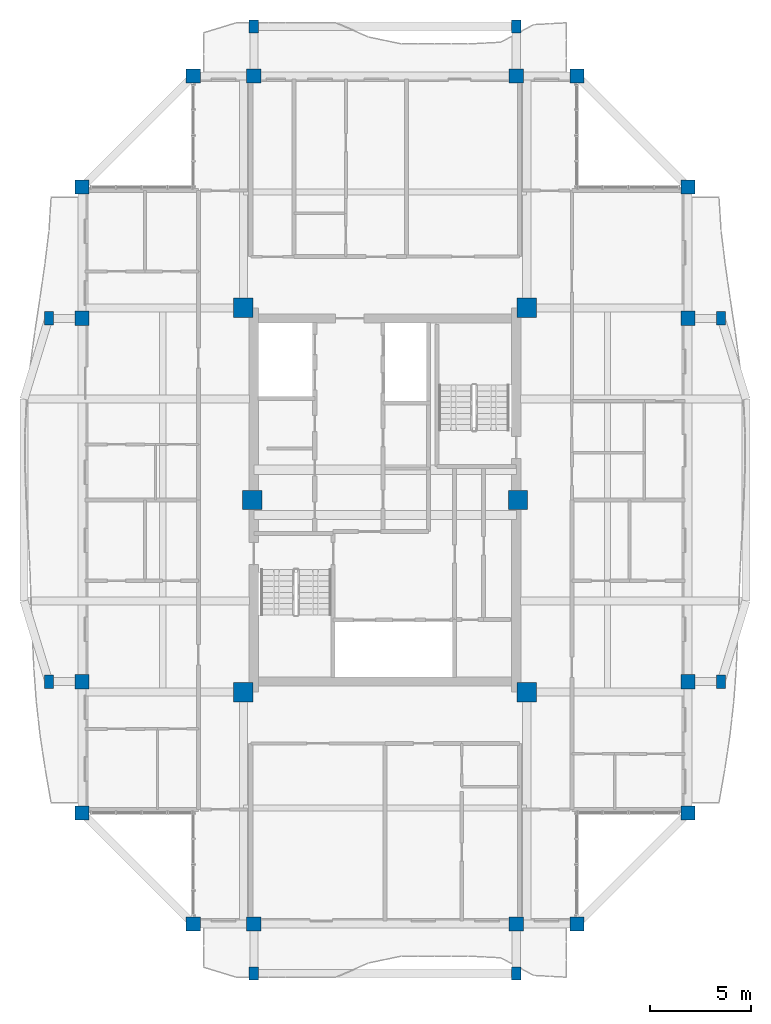
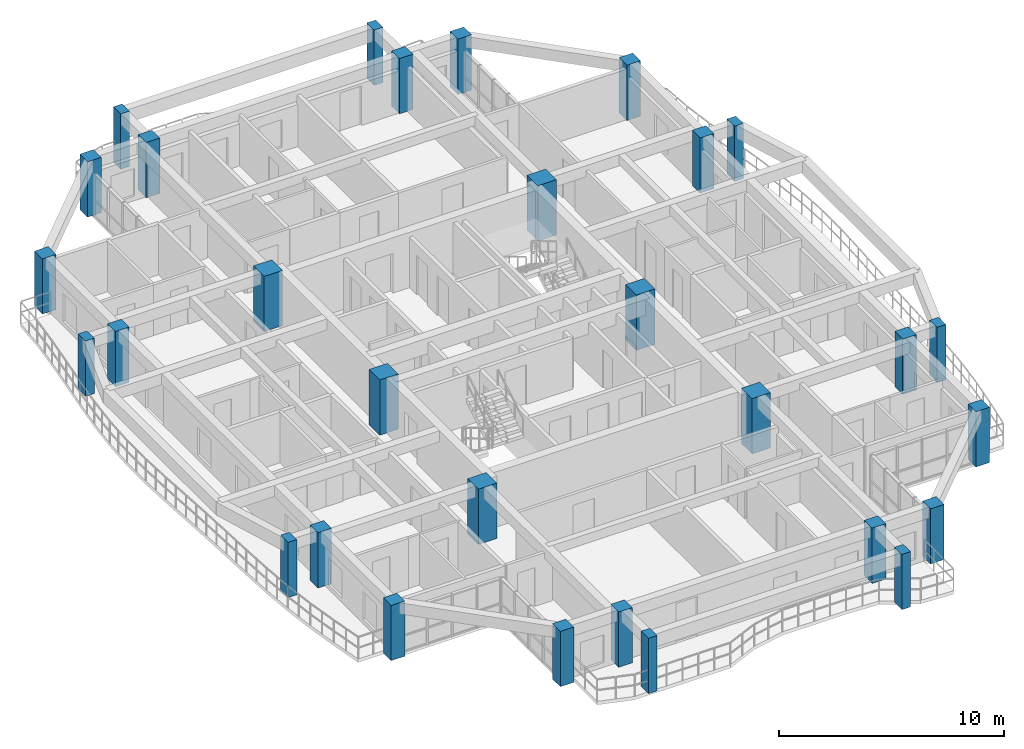
# One storey, part 1 of 24: 30 columns.
"""IFC4 building model written with IfcOpenShell, lengths in metres."""

import ifcopenshell
import ifcopenshell.guid

model = None  # the IFC model being written
_history = None  # IfcOwnerHistory: only IFC2X3 demands one
_inside = {}  # id of a spatial element -> (the spatial element, [elements in it])
_under = {}  # id of a project, library or spatial element -> (it, [spatial elements below it])
_declared = {}  # id of a project -> (the project, [libraries it declares])
_typed = {}  # id of a type object -> (the type object, [elements of that type])
_made_of = {}  # id of a material, layer set ... -> (it, [elements and type objects made of it])


def new_model(schema):
    """Start an empty IFC model of exactly this schema.

    Asked for "IFC4X3", IfcOpenShell would pick the latest addendum, in which some entities
    have other attributes; the version numbers below select the first issue.
    IFC2X3 requires an IfcOwnerHistory on every rooted entity: one is made here for all.
    """
    global model, _history
    if schema == "IFC4X3":
        model = ifcopenshell.file(schema_version=(4, 3, 0, 0))
    else:
        model = ifcopenshell.file(schema=schema)
    _inside.clear()
    _under.clear()
    _declared.clear()
    _typed.clear()
    _made_of.clear()
    _history = None
    if model.schema == "IFC2X3":
        org = make("IfcOrganization", Name="unknown")
        user = make(
            "IfcPersonAndOrganization",
            ThePerson=make("IfcPerson", FamilyName="unknown"),
            TheOrganization=org,
        )
        app = make(
            "IfcApplication",
            ApplicationDeveloper=org,
            Version="unknown",
            ApplicationFullName="unknown",
            ApplicationIdentifier="unknown",
        )
        _history = make(
            "IfcOwnerHistory",
            OwningUser=user,
            OwningApplication=app,
            ChangeAction="ADDED",
            CreationDate=0,
        )
    return model


def make(cls, **values):
    """One entity of the class cls with the attributes given. An attribute that is None is left unset."""
    return model.create_entity(
        cls, **{name: value for name, value in values.items() if value is not None}
    )


def rooted(cls, **values):
    """An entity with a GlobalId (a new one), such as an element, a storey or a relation."""
    return make(cls, GlobalId=ifcopenshell.guid.new(), OwnerHistory=_history, **values)


def si_unit(unit_type, name, prefix=None):
    """IfcSIUnit, for example si_unit("LENGTHUNIT", "METRE", prefix="MILLI")."""
    return make("IfcSIUnit", UnitType=unit_type, Prefix=prefix, Name=name)


def assignment(units):
    """IfcUnitAssignment: the units of a project."""
    return None if units is None else make("IfcUnitAssignment", Units=units)


def point(xyz):
    """IfcCartesianPoint."""
    return None if xyz is None else make("IfcCartesianPoint", Coordinates=xyz)


def direction(xyz):
    """IfcDirection."""
    return None if xyz is None else make("IfcDirection", DirectionRatios=xyz)


def frame(location, z_axis=None, x_axis=None):
    """IfcAxis2Placement3D, a coordinate frame: its origin and axes. An axis left out is left unset."""
    return make(
        "IfcAxis2Placement3D",
        Location=point(location),
        Axis=direction(z_axis),
        RefDirection=direction(x_axis),
    )


def frame_2d(location, x_axis=None):
    """IfcAxis2Placement2D, a coordinate frame in the plane: its origin and x axis."""
    return make(
        "IfcAxis2Placement2D", Location=point(location), RefDirection=direction(x_axis)
    )


def origin():
    """The frame at (0, 0, 0) with its axes left unset."""
    return frame((0.0, 0.0, 0.0))


def origin_2d():
    """The frame at (0, 0) in the plane with its x axis left unset."""
    return frame_2d((0.0, 0.0))


def place(relative_to, where):
    """IfcLocalPlacement: puts the frame where relative to a parent placement (None: the world)."""
    return make(
        "IfcLocalPlacement", PlacementRelTo=relative_to, RelativePlacement=where
    )


def context(
    kind, dimensions, precision=None, world=None, true_north=None, identifier=None
):
    """IfcGeometricRepresentationContext, for example the 3D "Model" context."""
    return make(
        "IfcGeometricRepresentationContext",
        ContextIdentifier=identifier,
        ContextType=kind,
        CoordinateSpaceDimension=dimensions,
        Precision=precision,
        WorldCoordinateSystem=world,
        TrueNorth=true_north,
    )


def subcontext(parent, identifier, kind, view, scale=None):
    """IfcGeometricRepresentationSubContext, for example "Body" below "Model"."""
    return make(
        "IfcGeometricRepresentationSubContext",
        ContextIdentifier=identifier,
        ContextType=kind,
        ParentContext=parent,
        TargetScale=scale,
        TargetView=view,
    )


def project(units=None, contexts=None):
    """IfcProject with its units and contexts."""
    return rooted(
        "IfcProject",
        Name="project",
        RepresentationContexts=contexts,
        UnitsInContext=assignment(units),
    )


def spatial(cls, under=None, at=None, **own):
    """A site, building, storey or space (cls), placed at a placement, below another one or the project."""
    s = rooted(cls, ObjectPlacement=at, **own)
    if under is not None:
        _under.setdefault(under.id(), (under, []))[1].append(s)
    return s


def profile(cls, at=None, kind="AREA", **sizes):
    """A parametric profile (cls). Its sizes go by their IFC names, for example OverallWidth=200.0."""
    return make(cls, ProfileType=kind, Position=at, **sizes)


def rectangle(**sizes):
    """IfcRectangleProfileDef."""
    return profile("IfcRectangleProfileDef", **sizes)


def extrude(swept, where, along, depth):
    """IfcExtrudedAreaSolid: the profile swept, set in the frame where, extruded along a direction by depth."""
    return make(
        "IfcExtrudedAreaSolid",
        SweptArea=swept,
        Position=where,
        ExtrudedDirection=direction(along),
        Depth=depth,
    )


def shape(context_of_items, identifier, shape_type, items):
    """IfcShapeRepresentation: the items that make up one representation, for example the "Body"."""
    return make(
        "IfcShapeRepresentation",
        ContextOfItems=context_of_items,
        RepresentationIdentifier=identifier,
        RepresentationType=shape_type,
        Items=items,
    )


def source(mapping_origin, context_of_items, identifier, shape_type, items):
    """IfcRepresentationMap: a shape defined once, which mapped items show again and again."""
    return make(
        "IfcRepresentationMap",
        MappingOrigin=mapping_origin,
        MappedRepresentation=shape(context_of_items, identifier, shape_type, items),
    )


def transform(
    local_origin,
    x_axis=None,
    y_axis=None,
    z_axis=None,
    scale=None,
    scale2=None,
    scale3=None,
    uniform=True,
):
    """IfcCartesianTransformationOperator3D, or its non-uniform kind. x_axis, y_axis, z_axis: its Axis1, 2, 3."""
    if uniform:
        return make(
            "IfcCartesianTransformationOperator3D",
            Axis1=direction(x_axis),
            Axis2=direction(y_axis),
            LocalOrigin=point(local_origin),
            Scale=scale,
            Axis3=direction(z_axis),
        )
    return make(
        "IfcCartesianTransformationOperator3DnonUniform",
        Axis1=direction(x_axis),
        Axis2=direction(y_axis),
        LocalOrigin=point(local_origin),
        Scale=scale,
        Axis3=direction(z_axis),
        Scale2=scale2,
        Scale3=scale3,
    )


def mapped(mapping_source, mapping_target):
    """IfcMappedItem: shows the shape of a source again, moved by a transform."""
    return make(
        "IfcMappedItem", MappingSource=mapping_source, MappingTarget=mapping_target
    )


def material(Name=None, Category=None):
    """IfcMaterial."""
    return make("IfcMaterial", Name=Name, Category=Category)


def material_profile(
    of_material, cross_section, Name=None, Category=None, Priority=None
):
    """IfcMaterialProfile: a cross section and its material."""
    return make(
        "IfcMaterialProfile",
        Name=Name,
        Material=of_material,
        Profile=cross_section,
        Priority=Priority,
        Category=Category,
    )


def profile_set(profiles, Name=None, composite=None):
    """IfcMaterialProfileSet."""
    return make(
        "IfcMaterialProfileSet",
        Name=Name,
        MaterialProfiles=profiles,
        CompositeProfile=composite,
    )


def made_of(thing, what):
    """Note that an element or type object is made of a material, layer set ...; save() writes the relation."""
    if what is not None:
        _made_of.setdefault(what.id(), (what, []))[1].append(thing)
    return thing


def type_object(cls, material=None, **own):
    """A type object (cls), such as IfcWallType, which elements share."""
    return made_of(rooted(cls, **own), material)


def element(
    cls,
    number,
    at=None,
    inside=None,
    cuts=None,
    type_object=None,
    material=None,
    context=None,
    identifier="Body",
    shape_type=None,
    held_by="IfcProductDefinitionShape",
    body=None,
    shapes=None,
    **own,
):
    """One element of the class cls, such as IfcWall. Its Tag is "e" and its number.

    at: its placement. inside: the storey or other place that contains it. cuts: it is an
    opening in that element (IfcRelVoidsElement). A single representation is given by context,
    identifier, shape_type and body (its items); several are given by shapes. held_by: the class
    of the entity that holds the representations. save() writes the other relations.
    """
    e = rooted(cls, Tag="e%d" % number, ObjectPlacement=at, **own)
    if body is not None:
        shapes = [shape(context, identifier, shape_type, body)]
    if shapes is not None:
        e.Representation = make(held_by, Representations=shapes)
    if inside is not None:
        _inside.setdefault(inside.id(), (inside, []))[1].append(e)
    if cuts is not None:
        rooted(
            "IfcRelVoidsElement", RelatingBuildingElement=cuts, RelatedOpeningElement=e
        )
    if type_object is not None:
        _typed.setdefault(type_object.id(), (type_object, []))[1].append(e)
    return made_of(e, material)


def aggregate(whole, parts):
    """IfcRelAggregates: a whole, such as a stair, and the parts it consists of."""
    return rooted("IfcRelAggregates", RelatingObject=whole, RelatedObjects=parts)


def save(model, path):
    """Write the relations noted so far, then the file.

    IfcRelAggregates (storeys below a building ...), IfcRelContainedInSpatialStructure (elements
    in a storey), IfcRelDefinesByType, IfcRelAssociatesMaterial and IfcRelDeclares: one each for
    every whole, place, type object, material and project.
    """
    for whole, parts in _under.values():
        aggregate(whole, parts)
    for where, things in _inside.values():
        rooted(
            "IfcRelContainedInSpatialStructure",
            RelatedElements=things,
            RelatingStructure=where,
        )
    for kind, things in _typed.values():
        rooted("IfcRelDefinesByType", RelatedObjects=things, RelatingType=kind)
    for what, things in _made_of.values():
        rooted("IfcRelAssociatesMaterial", RelatedObjects=things, RelatingMaterial=what)
    for by, libraries in _declared.values():
        rooted("IfcRelDeclares", RelatingContext=by, RelatedDefinitions=libraries)
    model.write(path)


model = new_model("IFC4")

# Units and contexts
model_context = context("Model", 3, precision=1e-05, world=origin(), true_north=direction((0.0, 1.0)))
body_context = subcontext(model_context, "Body", "Model", "MODEL_VIEW")
ifc_project = project(units=[si_unit("LENGTHUNIT", "METRE"), si_unit("AREAUNIT", "SQUARE_METRE"), si_unit("VOLUMEUNIT", "CUBIC_METRE"), si_unit("PLANEANGLEUNIT", "RADIAN"), si_unit("MASSUNIT", "GRAM", prefix="KILO")], contexts=[model_context])

# Site, building, storey
site_placement = place(None, origin())
site = spatial("IfcSite", under=ifc_project, at=site_placement, CompositionType="ELEMENT")
building_placement = place(site_placement, origin())
building = spatial("IfcBuilding", under=site, at=building_placement, Name="Saelheon Loggia Tower", CompositionType="ELEMENT")
storey_placement = place(building_placement, frame((0.0, 0.0, 246.0)))
storey = spatial("IfcBuildingStorey", under=building, at=storey_placement, Name="L76", CompositionType="ELEMENT", Elevation=246.0)

# Columns
ifc_material_1 = material(Name="Concrete C45/55", Category="concrete")
ifc_material_profile_1 = material_profile(ifc_material_1, rectangle(XDim=0.949951171875, YDim=0.949951171875, at=origin_2d()), Name="RC-950x950")
ifc_profile_set_1 = profile_set([ifc_material_profile_1], Name="Concrete C45/55")
column_type_1 = type_object("IfcColumnType", Name="Col_Core_RC950", PredefinedType="COLUMN", material=ifc_profile_set_1)
shared_shape_1 = source(origin(), body_context, "Body", "SweptSolid", [
    extrude(rectangle(XDim=0.949951171875, YDim=0.949951171875, at=origin_2d()), origin(), (0.0, 0.0, 1.0), 3.0),
])
for number, where, z_axis, x_axis, name in (
    (1, (30.97998046875, 17.47998046875, 0.0), (0.0, 0.0, 1.0), (1.0, 0.0, 0.0), "L76 Core Column CR-SW"),
    (2, (45.02001953125, 17.47998046875, 0.0), (0.0, 0.0, 1.0), (1.0, 0.0, 0.0), "L76 Core Column CR-SE"),
    (3, (30.97998046875, 36.52001953125, 0.0), (0.0, 0.0, 1.0), (1.0, 0.0, 0.0), "L76 Core Column CR-NW"),
    (4, (45.02001953125, 36.52001953125, 0.0), (0.0, 0.0, 1.0), (1.0, 0.0, 0.0), "L76 Core Column CR-NE"),
    (5, (31.419921875, 27.0, 0.0), (0.0, 0.0, 1.0), (1.0, 0.0, 0.0), "L76 Core Column CR-MW"),
    (6, (44.580078125, 27.0, 0.0), (0.0, 0.0, 1.0), (1.0, 0.0, 0.0), "L76 Core Column CR-ME"),
):
    element("IfcColumn", number, at=place(storey_placement, frame(where, z_axis=z_axis, x_axis=x_axis)), inside=storey, type_object=column_type_1, Name=name, PredefinedType="COLUMN", context=body_context, shape_type="MappedRepresentation", body=[
        mapped(shared_shape_1, transform((0.0, 0.0, 0.0), scale=1.0)),
    ])
ifc_material_2 = material(Name="Precast Concrete C45/55", Category="concrete")
ifc_material_profile_2 = material_profile(ifc_material_2, rectangle(XDim=0.449951171875, YDim=0.64990234375, at=origin_2d()), Name="RC-450x650")
ifc_profile_set_2 = profile_set([ifc_material_profile_2], Name="Precast Concrete C45/55")
column_type_2 = type_object("IfcColumnType", Name="Col_Loggia_Pilaster_650", PredefinedType="PILASTER", material=ifc_profile_set_2)
shared_shape_2 = source(origin(), body_context, "Body", "SweptSolid", [
    extrude(rectangle(XDim=0.449951171875, YDim=0.64990234375, at=origin_2d()), origin(), (0.0, 0.0, 1.0), 3.0),
])
for number, where, z_axis, x_axis, name in (
    (7, (31.5, 3.550048828125, 0.0), (0.0, 0.0, 1.0), (1.0, 0.0, 0.0), "L76 Loggia Frame Pilaster LP-S1"),
    (8, (44.5, 3.550048828125, 0.0), (0.0, 0.0, 1.0), (1.0, 0.0, 0.0), "L76 Loggia Frame Pilaster LP-S2"),
    (9, (31.5, 50.449951171875, 0.0), (0.0, 0.0, 1.0), (1.0, 0.0, 0.0), "L76 Loggia Frame Pilaster LP-N1"),
    (10, (44.5, 50.449951171875, 0.0), (0.0, 0.0, 1.0), (1.0, 0.0, 0.0), "L76 Loggia Frame Pilaster LP-N2"),
    (11, (54.64990234375, 18.0, 0.0), (0.0, 0.0, 1.0), (1.0, 0.0, 0.0), "L76 Loggia Frame Pilaster LP-E1"),
    (12, (54.64990234375, 36.0, 0.0), (0.0, 0.0, 1.0), (1.0, 0.0, 0.0), "L76 Loggia Frame Pilaster LP-E2"),
    (13, (21.35009765625, 18.0, 0.0), (0.0, 0.0, 1.0), (1.0, 0.0, 0.0), "L76 Loggia Frame Pilaster LP-W1"),
    (14, (21.35009765625, 36.0, 0.0), (0.0, 0.0, 1.0), (1.0, 0.0, 0.0), "L76 Loggia Frame Pilaster LP-W2"),
):
    element("IfcColumn", number, at=place(storey_placement, frame(where, z_axis=z_axis, x_axis=x_axis)), inside=storey, type_object=column_type_2, Name=name, PredefinedType="PILASTER", context=body_context, shape_type="MappedRepresentation", body=[
        mapped(shared_shape_2, transform((0.0, 0.0, 0.0), scale=1.0)),
    ])
ifc_material_profile_3 = material_profile(ifc_material_1, rectangle(XDim=0.699951171875, YDim=0.699951171875, at=origin_2d()), Name="RC-700x700")
ifc_profile_set_3 = profile_set([ifc_material_profile_3], Name="Concrete C45/55")
column_type_3 = type_object("IfcColumnType", Name="Col_Perim_RC700", PredefinedType="COLUMN", material=ifc_profile_set_3)
shared_shape_3 = source(origin(), body_context, "Body", "SweptSolid", [
    extrude(rectangle(XDim=0.699951171875, YDim=0.699951171875, at=origin_2d()), origin(), (0.0, 0.0, 1.0), 3.0),
])
for number, where, z_axis, x_axis, name in (
    (15, (28.5, 6.0, 0.0), (0.0, 0.0, 1.0), (1.0, 0.0, 0.0), "L76 Perimeter Column TP-S1"),
    (16, (31.5, 6.0, 0.0), (0.0, 0.0, 1.0), (1.0, 0.0, 0.0), "L76 Perimeter Column TP-SA"),
    (17, (44.5, 6.0, 0.0), (0.0, 0.0, 1.0), (1.0, 0.0, 0.0), "L76 Perimeter Column TP-SB"),
    (18, (47.5, 6.0, 0.0), (0.0, 0.0, 1.0), (1.0, 0.0, 0.0), "L76 Perimeter Column TP-S2"),
    (19, (53.0, 11.5, 0.0), (0.0, 0.0, 1.0), (1.0, 0.0, 0.0), "L76 Perimeter Column TP-E1"),
    (20, (53.0, 18.0, 0.0), (0.0, 0.0, 1.0), (1.0, 0.0, 0.0), "L76 Perimeter Column TP-EA"),
    (21, (53.0, 36.0, 0.0), (0.0, 0.0, 1.0), (1.0, 0.0, 0.0), "L76 Perimeter Column TP-EB"),
    (22, (53.0, 42.5, 0.0), (0.0, 0.0, 1.0), (1.0, 0.0, 0.0), "L76 Perimeter Column TP-E2"),
    (23, (47.5, 48.0, 0.0), (0.0, 0.0, 1.0), (1.0, 0.0, 0.0), "L76 Perimeter Column TP-N2"),
    (24, (44.5, 48.0, 0.0), (0.0, 0.0, 1.0), (1.0, 0.0, 0.0), "L76 Perimeter Column TP-NB"),
    (25, (31.5, 48.0, 0.0), (0.0, 0.0, 1.0), (1.0, 0.0, 0.0), "L76 Perimeter Column TP-NA"),
    (26, (28.5, 48.0, 0.0), (0.0, 0.0, 1.0), (1.0, 0.0, 0.0), "L76 Perimeter Column TP-N1"),
    (27, (23.0, 42.5, 0.0), (0.0, 0.0, 1.0), (1.0, 0.0, 0.0), "L76 Perimeter Column TP-W2"),
    (28, (23.0, 36.0, 0.0), (0.0, 0.0, 1.0), (1.0, 0.0, 0.0), "L76 Perimeter Column TP-WB"),
    (29, (23.0, 18.0, 0.0), (0.0, 0.0, 1.0), (1.0, 0.0, 0.0), "L76 Perimeter Column TP-WA"),
    (30, (23.0, 11.5, 0.0), (0.0, 0.0, 1.0), (1.0, 0.0, 0.0), "L76 Perimeter Column TP-W1"),
):
    element("IfcColumn", number, at=place(storey_placement, frame(where, z_axis=z_axis, x_axis=x_axis)), inside=storey, type_object=column_type_3, Name=name, PredefinedType="COLUMN", context=body_context, shape_type="MappedRepresentation", body=[
        mapped(shared_shape_3, transform((0.0, 0.0, 0.0), scale=1.0)),
    ])

save(model, "model.ifc")
